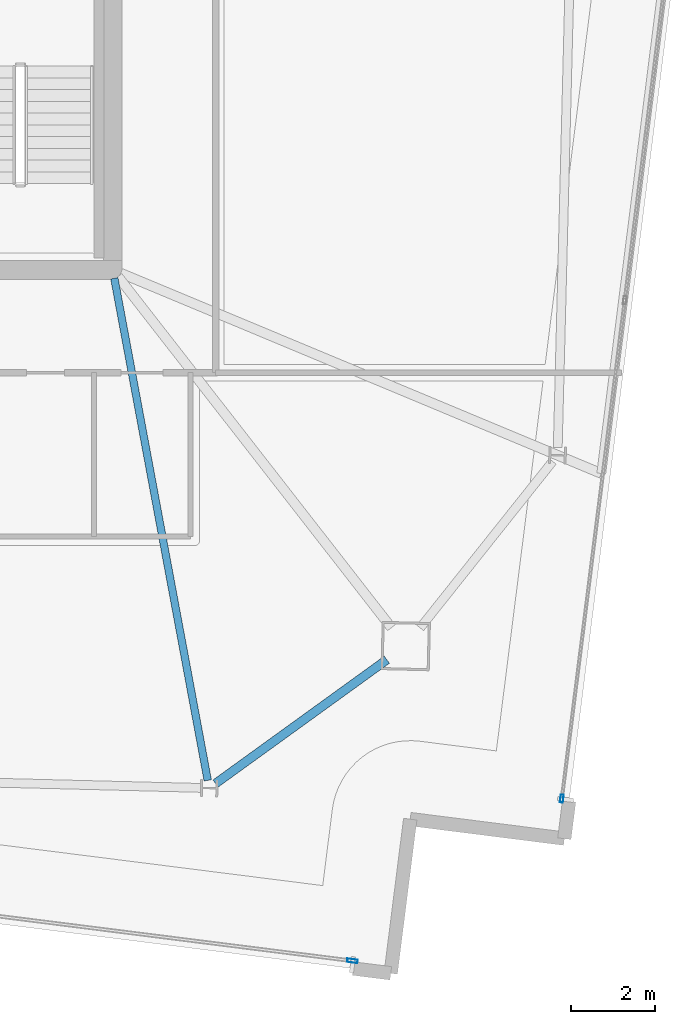
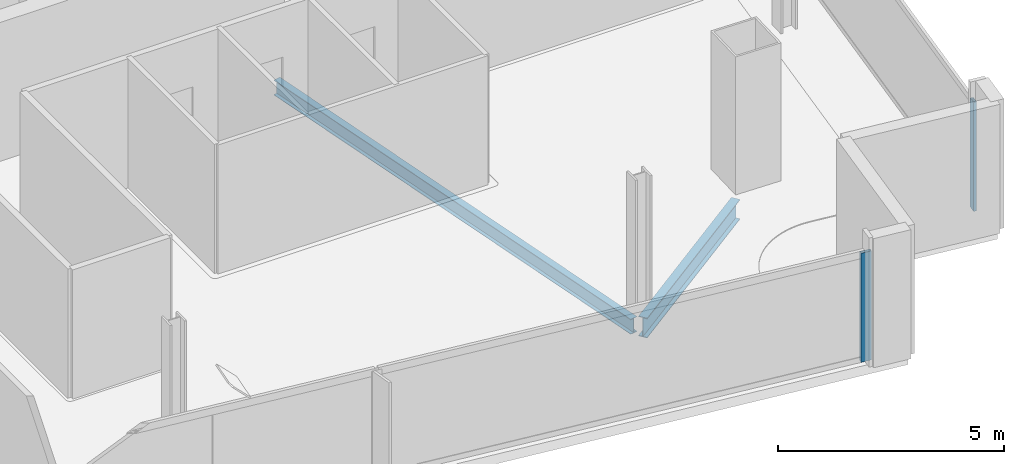
# One storey, part 7 of 23: 2 beams, 2 members, 2 elements without a shape of their own.
"""IFC4 building model written with IfcOpenShell, lengths in metres."""

from ifc_helpers import new_model, si_unit, direction, frame, origin, origin_2d, place, context, subcontext, project, spatial, hollow_rectangle, i_section, extrude, material, material_profile, profile_set, type_object, element, aggregate, save


model = new_model("IFC4")

# Units and contexts
model_context = context("Model", 3, precision=1e-05, world=origin(), true_north=direction((0.0, 1.0)))
body_context = subcontext(model_context, "Body", "Model", "MODEL_VIEW")
ifc_project = project(units=[si_unit("LENGTHUNIT", "METRE"), si_unit("AREAUNIT", "SQUARE_METRE"), si_unit("VOLUMEUNIT", "CUBIC_METRE"), si_unit("PLANEANGLEUNIT", "RADIAN"), si_unit("MASSUNIT", "GRAM", prefix="KILO")], contexts=[model_context])

# Site, building, storey
site_placement = place(None, origin())
site = spatial("IfcSite", under=ifc_project, at=site_placement, CompositionType="ELEMENT")
building_placement = place(site_placement, origin())
building = spatial("IfcBuilding", under=site, at=building_placement, Name="Haldenkirk Collegiate Tower", CompositionType="ELEMENT")
storey_placement = place(building_placement, frame((0.0, 0.0, 306.449951171875)))
storey = spatial("IfcBuildingStorey", under=building, at=storey_placement, Name="L77", CompositionType="ELEMENT", Elevation=306.449951171875)

# Beams
ifc_material_1 = material(Name="Steel ASTM A992 Grade 50", Category="steel")
ifc_material_profile_1 = material_profile(ifc_material_1, i_section(OverallWidth=0.177978515625, OverallDepth=0.406005859375, WebThickness=0.0078125, FlangeThickness=0.0126953125, at=origin_2d()), Name="W16X40")
ifc_profile_set_1 = profile_set([ifc_material_profile_1], Name="Steel ASTM A992 Grade 50")
beam_type_1 = type_object("IfcBeamType", Name="BM-JOIST-W16X40", PredefinedType="JOIST", material=ifc_profile_set_1)
beam_1_placement = place(storey_placement, frame((47.262451171875, 5.84228515625, -0.462890625), z_axis=(-0.18294175887, 0.983123752567, 0.0), x_axis=(-0.983123752567, -0.18294175887, 0.0)))
element("IfcBeam", 1, at=beam_1_placement, inside=storey, type_object=beam_type_1, Name="L77 composite floor joist 16", PredefinedType="JOIST", context=body_context, shape_type="SweptSolid", body=[
    extrude(i_section(OverallWidth=0.177978515625, OverallDepth=0.406005859375, WebThickness=0.0078125, FlangeThickness=0.0126953125, at=origin_2d()), origin(), (0.0, 0.0, 1.0), 12.16162109375),
])
ifc_material_profile_2 = material_profile(ifc_material_1, i_section(OverallWidth=0.2099609375, OverallDepth=0.537109375, WebThickness=0.010986328125, FlangeThickness=0.017333984375, at=origin_2d()), Name="W21X68")
ifc_profile_set_2 = profile_set([ifc_material_profile_2], Name="Steel ASTM A992 Grade 50")
beam_type_2 = type_object("IfcBeamType", Name="BM-SPANDREL-W21X68", PredefinedType="SPANDREL", material=ifc_profile_set_2)
beam_2_placement = place(storey_placement, frame((47.44921875, 5.767578125, -0.528564453125), z_axis=(0.810388642646, 0.585892693136, 0.0), x_axis=(-0.585892693136, 0.810388642646, 0.0)))
element("IfcBeam", 2, at=beam_2_placement, inside=storey, type_object=beam_type_2, Name="L77 perimeter spandrel beam 16", PredefinedType="SPANDREL", context=body_context, shape_type="SweptSolid", body=[
    extrude(i_section(OverallWidth=0.2099609375, OverallDepth=0.537109375, WebThickness=0.010986328125, FlangeThickness=0.017333984375, at=origin_2d()), origin(), (0.0, 0.0, 1.0), 5.03076171875),
])

# Curtain wall, member
ifc_material_2 = material(Name="Anodised architectural bronze aluminium", Category="aluminium")
curtain_wall_type_1 = type_object("IfcCurtainWallType", Name="CW-SYS2-CONCAVE", PredefinedType="USERDEFINED", material=ifc_material_2)
curtain_wall_1_placement = place(storey_placement, origin())
curtain_wall_1 = element("IfcCurtainWall", 3, at=curtain_wall_1_placement, inside=storey, type_object=curtain_wall_type_1, Name="L77 South concave recessed bronze-anodised curtain wall", ObjectType="UNITISED CURTAIN WALL", PredefinedType="USERDEFINED")
ifc_material_profile_3 = material_profile(ifc_material_2, hollow_rectangle(XDim=0.074951171875, YDim=0.18994140625, WallThickness=0.0048828125, at=origin_2d()), Name="CW-MUL-02")
ifc_profile_set_3 = profile_set([ifc_material_profile_3], Name="Anodised architectural bronze aluminium")
member_type_1 = type_object("IfcMemberType", Name="CW-MUL-02", PredefinedType="MULLION", material=ifc_profile_set_3)
member_1_placement = place(storey_placement, frame((55.6943359375, 5.40673828125, 0.0), z_axis=(0.0, 0.0, 1.0), x_axis=(0.992114676148, -0.125333432781, 0.0)))
member_1 = element("IfcMember", 4, at=member_1_placement, type_object=member_type_1, Name="CW-02 mullion 4", PredefinedType="MULLION", context=body_context, shape_type="SweptSolid", body=[
    extrude(hollow_rectangle(XDim=0.074951171875, YDim=0.18994140625, WallThickness=0.0048828125, at=origin_2d()), origin(), (0.0, 0.0, 1.0), 2.947998046875),
])
aggregate(curtain_wall_1, [member_1])

curtain_wall_type_2 = type_object("IfcCurtainWallType", Name="CW-SYS1B-CONVEX-HI", PredefinedType="USERDEFINED", material=ifc_material_2)
curtain_wall_2_placement = place(storey_placement, origin())
curtain_wall_2 = element("IfcCurtainWall", 5, at=curtain_wall_2_placement, inside=storey, type_object=curtain_wall_type_2, Name="L77 Upper tower high-wind convex bronze unitised curtain wall", ObjectType="UNITISED CURTAIN WALL", PredefinedType="USERDEFINED")
ifc_material_profile_4 = material_profile(ifc_material_2, hollow_rectangle(XDim=0.0849609375, YDim=0.25, WallThickness=0.0048828125, at=origin_2d()), Name="CW-MUL-1B")
ifc_profile_set_4 = profile_set([ifc_material_profile_4], Name="Anodised architectural bronze aluminium")
member_type_2 = type_object("IfcMemberType", Name="CW-MUL-1B", PredefinedType="MULLION", material=ifc_profile_set_4)
member_2_placement = place(storey_placement, frame((50.708251953125, 1.543701171875, 0.0), z_axis=(0.0, 0.0, 1.0), x_axis=(-0.125333192769, -0.992114706468, 0.0)))
member_2 = element("IfcMember", 6, at=member_2_placement, type_object=member_type_2, Name="CW-1B mullion 1", PredefinedType="MULLION", context=body_context, shape_type="SweptSolid", body=[
    extrude(hollow_rectangle(XDim=0.0849609375, YDim=0.25, WallThickness=0.0048828125, at=origin_2d()), origin(), (0.0, 0.0, 1.0), 2.947998046875),
])
aggregate(curtain_wall_2, [member_2])

save(model, "model.ifc")
